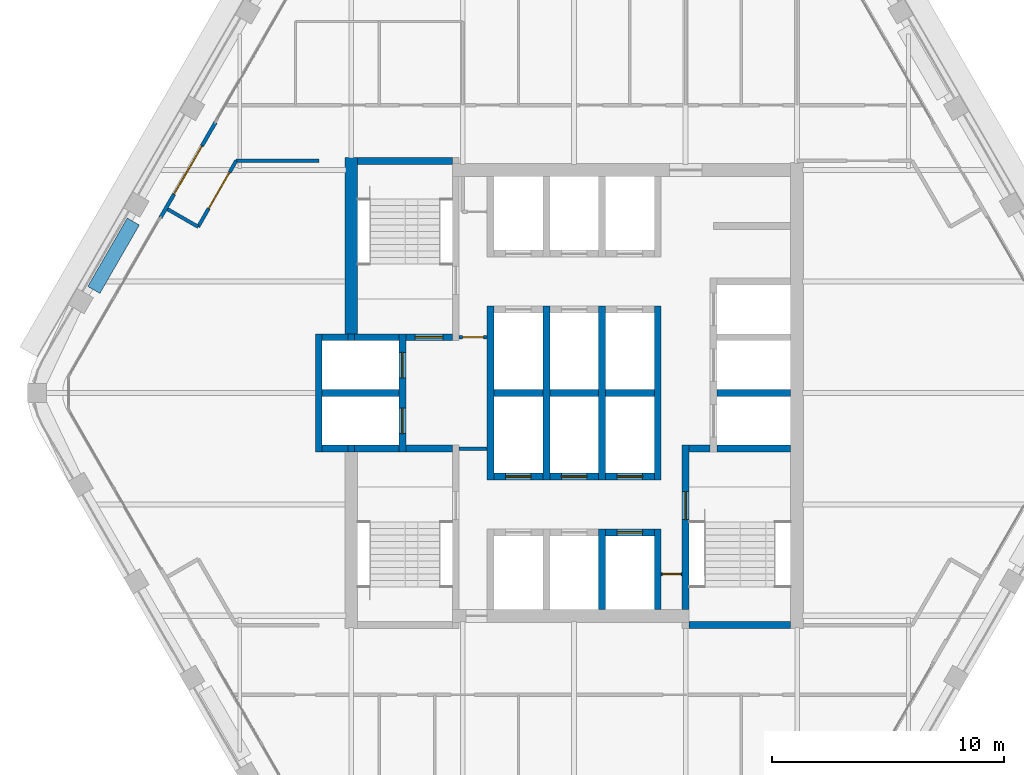
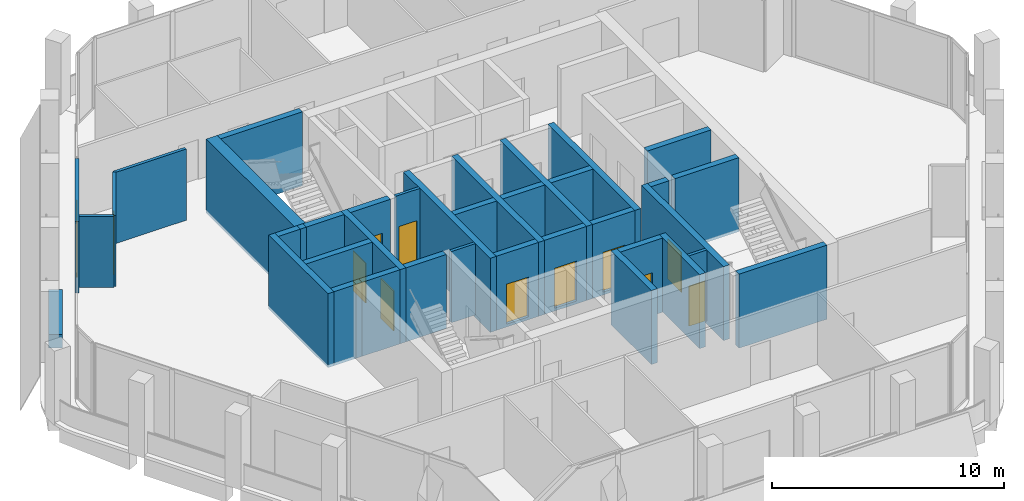
# One storey, part 8 of 13: 39 walls, 12 doors, 12 openings.
"""IFC4 building model written with IfcOpenShell, lengths in metres."""

from ifc_helpers import new_model, si_unit, direction, frame, frame_2d, origin, place, context, subcontext, project, spatial, rectangle, extrude, material, layer, layer_set, type_object, element, fill, save


model = new_model("IFC4")

# Units and contexts
model_context = context("Model", 3, precision=1e-05, world=origin(), true_north=direction((0.0, 1.0)))
body_context = subcontext(model_context, "Body", "Model", "MODEL_VIEW")
ifc_project = project(units=[si_unit("LENGTHUNIT", "METRE"), si_unit("AREAUNIT", "SQUARE_METRE"), si_unit("VOLUMEUNIT", "CUBIC_METRE"), si_unit("PLANEANGLEUNIT", "RADIAN"), si_unit("MASSUNIT", "GRAM", prefix="KILO")], contexts=[model_context])

# Site, building, storey
site_placement = place(None, origin())
site = spatial("IfcSite", under=ifc_project, at=site_placement, CompositionType="ELEMENT")
building_placement = place(site_placement, origin())
building = spatial("IfcBuilding", under=site, at=building_placement, Name="Kolab Exchange Tower", CompositionType="ELEMENT")
storey_placement = place(building_placement, frame((0.0, 0.0, 230.60009765625)))
storey = spatial("IfcBuildingStorey", under=building, at=storey_placement, Name="L50", CompositionType="ELEMENT", Elevation=230.60009765625)

# Wall
ifc_material_1 = material(Name="Concrete C50/60", Category="concrete")
ifc_layer_1 = layer(ifc_material_1, 0.550048828125)
ifc_layer_set_1 = layer_set([ifc_layer_1], Name="Concrete C50/60")
wall_type_1 = type_object("IfcWallType", Name="CORE WALL 550 C50/60", PredefinedType="SHEAR", material=ifc_layer_set_1)
wall_1_placement = place(storey_placement, frame((-9.60009765625, 2.550048828125, -0.150146484375), z_axis=(0.0, 0.0, 1.0), x_axis=(0.0, 1.0, 0.0)))
element("IfcWall", 1, at=wall_1_placement, inside=storey, type_object=wall_type_1, Name="wall/L50/core/037", PredefinedType="SHEAR", context=body_context, shape_type="SweptSolid", body=[
    extrude(rectangle(XDim=7.599853515625, YDim=0.550048828125, at=frame_2d((3.7998046875, 0.0))), origin(), (0.0, 0.0, 1.0), 3.900146484375),
])

# Wall, opening, door
ifc_material_2 = material(Name="Aluminium EN AW-6063 T6", Category="aluminium")
ifc_layer_2 = layer(ifc_material_2, 0.159912109375)
ifc_layer_set_2 = layer_set([ifc_layer_2], Name="Aluminium EN AW-6063 T6")
wall_type_2 = type_object("IfcWallType", Name="DOOR SURROUND WALL 160 ALUMINIUM FRAMED", PredefinedType="PARTITIONING", material=ifc_layer_set_2)
wall_2_placement = place(storey_placement, frame((-17.816650390625, 7.5498046875, 0.0), z_axis=(0.0, 0.0, 1.0), x_axis=(0.499978080042, 0.866038058908, 0.0)))
wall_2 = element("IfcWall", 2, at=wall_2_placement, inside=storey, type_object=wall_type_2, Name="Door surround wall", PredefinedType="PARTITIONING", context=body_context, shape_type="SweptSolid", body=[
    extrude(rectangle(XDim=4.739990234375, YDim=0.159912109375, at=frame_2d((2.3701171875, 0.0))), origin(), (0.0, 0.0, 1.0), 3.75),
])
opening_1_placement = place(wall_2_placement, frame((1.169921875, 0.0, 0.0)))
opening_1 = element("IfcOpeningElement", 3, at=opening_1_placement, cuts=wall_2, Name="Opening GD1-094", PredefinedType="OPENING", context=body_context, shape_type="SweptSolid", body=[
    extrude(rectangle(XDim=2.39990234375, YDim=2.39990234375, at=frame_2d((1.199951171875, 1.199951171875))), frame((0.0, 0.08984375, 0.0), z_axis=(0.0, -1.0, 0.0), x_axis=(1.0, 0.0, 0.0)), (0.0, 0.0, 1.0), 0.179931640625),
])
door_type_1 = type_object("IfcDoorType", Name="LOGGIA SLIDING GLASS DOOR 2400 X 2400", OperationType="DOUBLE_DOOR_SINGLE_SWING", PredefinedType="DOOR", material=ifc_material_2)
door_1_placement = place(opening_1_placement, origin())
door_1 = element("IfcDoor", 4, at=door_1_placement, inside=storey, type_object=door_type_1, Name="Loggia door", OperationType="DOUBLE_DOOR_SLIDING", OverallHeight=2.39990234375, OverallWidth=2.39990234375, PredefinedType="DOOR", context=body_context, shape_type="SweptSolid", body=[
    extrude(rectangle(XDim=2.39990234375, YDim=2.39990234375, at=frame_2d((1.199951171875, 1.199951171875))), frame((0.0, 0.02490234375, 0.0), z_axis=(0.0, -1.0, 0.0), x_axis=(1.0, 0.0, 0.0)), (0.0, 0.0, 1.0), 0.050048828125),
])
fill(opening_1, door_1)

ifc_layer_3 = layer(ifc_material_1, 0.300048828125)
ifc_layer_set_3 = layer_set([ifc_layer_3], Name="Concrete C50/60")
wall_type_3 = type_object("IfcWallType", Name="LIFT SHAFT WALL 300 C50/60", PredefinedType="STANDARD", material=ifc_layer_set_3)
wall_3_placement = place(storey_placement, frame((1.35009765625, -6.0, -0.150146484375), z_axis=(0.0, 0.0, 1.0), x_axis=(1.0, 0.0, 0.0)))
wall_3 = element("IfcWall", 5, at=wall_3_placement, inside=storey, type_object=wall_type_3, Name="wall/L50/core/005", PredefinedType="STANDARD", context=body_context, shape_type="SweptSolid", body=[
    extrude(rectangle(XDim=2.099853515625, YDim=0.300048828125, at=frame_2d((1.0498046875, 0.0))), origin(), (0.0, 0.0, 1.0), 3.900146484375),
])
opening_2_placement = place(wall_3_placement, frame((0.5, 0.0, 0.14990234375)))
opening_2 = element("IfcOpeningElement", 6, at=opening_2_placement, cuts=wall_3, Name="Opening LD1-112", PredefinedType="OPENING", context=body_context, shape_type="SweptSolid", body=[
    extrude(rectangle(XDim=1.10009765625, YDim=2.10009765625, at=frame_2d((0.550048828125, 1.050048828125))), frame((0.0, 0.16015625, 0.0), z_axis=(0.0, -1.0, 0.0), x_axis=(1.0, 0.0, 0.0)), (0.0, 0.0, 1.0), 0.320068359375),
])
ifc_material_3 = material(Name="Stainless steel 316", Category="steel")
door_type_2 = type_object("IfcDoorType", Name="LANDING DOOR 1100 PASSENGER", OperationType="DOUBLE_DOOR_SLIDING", PredefinedType="DOOR", material=ifc_material_3)
door_2_placement = place(opening_2_placement, origin())
door_2 = element("IfcDoor", 7, at=door_2_placement, inside=storey, type_object=door_type_2, Name="Landing door HR12", OperationType="DOUBLE_DOOR_SLIDING", OverallHeight=2.10009765625, OverallWidth=1.10009765625, PredefinedType="DOOR", context=body_context, shape_type="SweptSolid", body=[
    extrude(rectangle(XDim=1.10009765625, YDim=2.10009765625, at=frame_2d((0.550048828125, 1.050048828125))), frame((0.0, 0.02490234375, 0.0), z_axis=(0.0, -1.0, 0.0), x_axis=(1.0, 0.0, 0.0)), (0.0, 0.0, 1.0), 0.050048828125),
])
fill(opening_2, door_2)

wall_4_placement = place(storey_placement, frame((-3.449951171875, -3.60009765625, -0.150146484375), z_axis=(0.0, 0.0, 1.0), x_axis=(1.0, 0.0, 0.0)))
wall_4 = element("IfcWall", 8, at=wall_4_placement, inside=storey, type_object=wall_type_3, Name="wall/L50/core/006", PredefinedType="STANDARD", context=body_context, shape_type="SweptSolid", body=[
    extrude(rectangle(XDim=2.099853515625, YDim=0.300048828125, at=frame_2d((1.0498046875, 0.0))), origin(), (0.0, 0.0, 1.0), 3.900146484375),
])
opening_3_placement = place(wall_4_placement, frame((0.5, 0.0, 0.14990234375)))
opening_3 = element("IfcOpeningElement", 9, at=opening_3_placement, cuts=wall_4, Name="Opening LD1-118", PredefinedType="OPENING", context=body_context, shape_type="SweptSolid", body=[
    extrude(rectangle(XDim=1.10009765625, YDim=2.10009765625, at=frame_2d((0.550048828125, 1.050048828125))), frame((0.0, 0.16015625, 0.0), z_axis=(0.0, -1.0, 0.0), x_axis=(1.0, 0.0, 0.0)), (0.0, 0.0, 1.0), 0.320068359375),
])
door_3_placement = place(opening_3_placement, origin())
door_3 = element("IfcDoor", 10, at=door_3_placement, inside=storey, type_object=door_type_2, Name="Landing door HR7", OperationType="DOUBLE_DOOR_SLIDING", OverallHeight=2.10009765625, OverallWidth=1.10009765625, PredefinedType="DOOR", context=body_context, shape_type="SweptSolid", body=[
    extrude(rectangle(XDim=1.10009765625, YDim=2.10009765625, at=frame_2d((0.550048828125, 1.050048828125))), frame((0.0, 0.02490234375, 0.0), z_axis=(0.0, -1.0, 0.0), x_axis=(1.0, 0.0, 0.0)), (0.0, 0.0, 1.0), 0.050048828125),
])
fill(opening_3, door_3)

wall_5_placement = place(storey_placement, frame((-1.050048828125, -3.60009765625, -0.150146484375), z_axis=(0.0, 0.0, 1.0), x_axis=(1.0, 0.0, 0.0)))
wall_5 = element("IfcWall", 11, at=wall_5_placement, inside=storey, type_object=wall_type_3, Name="wall/L50/core/007", PredefinedType="STANDARD", context=body_context, shape_type="SweptSolid", body=[
    extrude(rectangle(XDim=2.10009765625, YDim=0.300048828125, at=frame_2d((1.050048828125, 0.0))), origin(), (0.0, 0.0, 1.0), 3.900146484375),
])
opening_4_placement = place(wall_5_placement, frame((0.5, 0.0, 0.14990234375)))
opening_4 = element("IfcOpeningElement", 12, at=opening_4_placement, cuts=wall_5, Name="Opening LD1-119", PredefinedType="OPENING", context=body_context, shape_type="SweptSolid", body=[
    extrude(rectangle(XDim=1.10009765625, YDim=2.10009765625, at=frame_2d((0.550048828125, 1.050048828125))), frame((0.0, 0.16015625, 0.0), z_axis=(0.0, -1.0, 0.0), x_axis=(1.0, 0.0, 0.0)), (0.0, 0.0, 1.0), 0.320068359375),
])
door_4_placement = place(opening_4_placement, origin())
door_4 = element("IfcDoor", 13, at=door_4_placement, inside=storey, type_object=door_type_2, Name="Landing door HR8", OperationType="DOUBLE_DOOR_SLIDING", OverallHeight=2.10009765625, OverallWidth=1.10009765625, PredefinedType="DOOR", context=body_context, shape_type="SweptSolid", body=[
    extrude(rectangle(XDim=1.10009765625, YDim=2.10009765625, at=frame_2d((0.550048828125, 1.050048828125))), frame((0.0, 0.02490234375, 0.0), z_axis=(0.0, -1.0, 0.0), x_axis=(1.0, 0.0, 0.0)), (0.0, 0.0, 1.0), 0.050048828125),
])
fill(opening_4, door_4)

wall_6_placement = place(storey_placement, frame((1.35009765625, -3.60009765625, -0.150146484375), z_axis=(0.0, 0.0, 1.0), x_axis=(1.0, 0.0, 0.0)))
wall_6 = element("IfcWall", 14, at=wall_6_placement, inside=storey, type_object=wall_type_3, Name="wall/L50/core/008", PredefinedType="STANDARD", context=body_context, shape_type="SweptSolid", body=[
    extrude(rectangle(XDim=2.099853515625, YDim=0.300048828125, at=frame_2d((1.0498046875, 0.0))), origin(), (0.0, 0.0, 1.0), 3.900146484375),
])
opening_5_placement = place(wall_6_placement, frame((0.5, 0.0, 0.14990234375)))
opening_5 = element("IfcOpeningElement", 15, at=opening_5_placement, cuts=wall_6, Name="Opening LD1-120", PredefinedType="OPENING", context=body_context, shape_type="SweptSolid", body=[
    extrude(rectangle(XDim=1.10009765625, YDim=2.10009765625, at=frame_2d((0.550048828125, 1.050048828125))), frame((0.0, 0.16015625, 0.0), z_axis=(0.0, -1.0, 0.0), x_axis=(1.0, 0.0, 0.0)), (0.0, 0.0, 1.0), 0.320068359375),
])
door_5_placement = place(opening_5_placement, origin())
door_5 = element("IfcDoor", 16, at=door_5_placement, inside=storey, type_object=door_type_2, Name="Landing door HR9", OperationType="DOUBLE_DOOR_SLIDING", OverallHeight=2.10009765625, OverallWidth=1.10009765625, PredefinedType="DOOR", context=body_context, shape_type="SweptSolid", body=[
    extrude(rectangle(XDim=1.10009765625, YDim=2.10009765625, at=frame_2d((0.550048828125, 1.050048828125))), frame((0.0, 0.02490234375, 0.0), z_axis=(0.0, -1.0, 0.0), x_axis=(1.0, 0.0, 0.0)), (0.0, 0.0, 1.0), 0.050048828125),
])
fill(opening_5, door_5)

# Walls
wall_7_placement = place(storey_placement, frame((-10.85009765625, -2.39990234375, -0.150146484375), z_axis=(0.0, 0.0, 1.0), x_axis=(1.0, 0.0, 0.0)))
element("IfcWall", 17, at=wall_7_placement, inside=storey, type_object=wall_type_3, Name="wall/L50/core/009", PredefinedType="STANDARD", context=body_context, shape_type="SweptSolid", body=[
    extrude(rectangle(XDim=1.10009765625, YDim=0.300048828125, at=frame_2d((0.550048828125, 0.0))), origin(), (0.0, 0.0, 1.0), 3.900146484375),
])
wall_8_placement = place(storey_placement, frame((-10.85009765625, 0.0, -0.150146484375), z_axis=(0.0, 0.0, 1.0), x_axis=(1.0, 0.0, 0.0)))
element("IfcWall", 18, at=wall_8_placement, inside=storey, type_object=wall_type_3, Name="wall/L50/core/014", PredefinedType="STANDARD", context=body_context, shape_type="SweptSolid", body=[
    extrude(rectangle(XDim=3.300048828125, YDim=0.300048828125, at=frame_2d((1.64990234375, 0.0))), origin(), (0.0, 0.0, 1.0), 3.900146484375),
])
wall_9_placement = place(storey_placement, frame((-3.449951171875, 0.0, -0.150146484375), z_axis=(0.0, 0.0, 1.0), x_axis=(1.0, 0.0, 0.0)))
element("IfcWall", 19, at=wall_9_placement, inside=storey, type_object=wall_type_3, Name="wall/L50/core/015", PredefinedType="STANDARD", context=body_context, shape_type="SweptSolid", body=[
    extrude(rectangle(XDim=2.099853515625, YDim=0.300048828125, at=frame_2d((1.0498046875, 0.0))), origin(), (0.0, 0.0, 1.0), 3.900146484375),
])
wall_10_placement = place(storey_placement, frame((-1.050048828125, 0.0, -0.150146484375), z_axis=(0.0, 0.0, 1.0), x_axis=(1.0, 0.0, 0.0)))
element("IfcWall", 20, at=wall_10_placement, inside=storey, type_object=wall_type_3, Name="wall/L50/core/016", PredefinedType="STANDARD", context=body_context, shape_type="SweptSolid", body=[
    extrude(rectangle(XDim=2.10009765625, YDim=0.300048828125, at=frame_2d((1.050048828125, 0.0))), origin(), (0.0, 0.0, 1.0), 3.900146484375),
])
wall_11_placement = place(storey_placement, frame((1.35009765625, 0.0, -0.150146484375), z_axis=(0.0, 0.0, 1.0), x_axis=(1.0, 0.0, 0.0)))
element("IfcWall", 21, at=wall_11_placement, inside=storey, type_object=wall_type_3, Name="wall/L50/core/017", PredefinedType="STANDARD", context=body_context, shape_type="SweptSolid", body=[
    extrude(rectangle(XDim=2.099853515625, YDim=0.300048828125, at=frame_2d((1.0498046875, 0.0))), origin(), (0.0, 0.0, 1.0), 3.900146484375),
])
wall_12_placement = place(storey_placement, frame((6.14990234375, 0.0, -0.150146484375), z_axis=(0.0, 0.0, 1.0), x_axis=(1.0, 0.0, 0.0)))
element("IfcWall", 22, at=wall_12_placement, inside=storey, type_object=wall_type_3, Name="wall/L50/core/018", PredefinedType="STANDARD", context=body_context, shape_type="SweptSolid", body=[
    extrude(rectangle(XDim=3.175048828125, YDim=0.300048828125, at=frame_2d((1.58740234375, 0.0))), origin(), (0.0, 0.0, 1.0), 3.900146484375),
])
wall_13_placement = place(storey_placement, frame((-10.85009765625, 2.39990234375, -0.150146484375), z_axis=(0.0, 0.0, 1.0), x_axis=(1.0, 0.0, 0.0)))
element("IfcWall", 23, at=wall_13_placement, inside=storey, type_object=wall_type_3, Name="wall/L50/core/019", PredefinedType="STANDARD", context=body_context, shape_type="SweptSolid", body=[
    extrude(rectangle(XDim=1.10009765625, YDim=0.300048828125, at=frame_2d((0.550048828125, 0.0))), origin(), (0.0, 0.0, 1.0), 3.900146484375),
])
wall_14_placement = place(storey_placement, frame((-11.0, -2.550048828125, -0.150146484375), z_axis=(0.0, 0.0, 1.0), x_axis=(0.0, 1.0, 0.0)))
element("IfcWall", 24, at=wall_14_placement, inside=storey, type_object=wall_type_3, Name="wall/L50/core/033", PredefinedType="STANDARD", context=body_context, shape_type="SweptSolid", body=[
    extrude(rectangle(XDim=5.10009765625, YDim=0.300048828125, at=frame_2d((2.550048828125, 0.0))), origin(), (0.0, 0.0, 1.0), 3.900146484375),
])

# Wall, openings, doors
wall_15_placement = place(storey_placement, frame((-7.39990234375, -2.550048828125, -0.150146484375), z_axis=(0.0, 0.0, 1.0), x_axis=(0.0, 1.0, 0.0)))
wall_15 = element("IfcWall", 25, at=wall_15_placement, inside=storey, type_object=wall_type_3, Name="wall/L50/core/038", PredefinedType="STANDARD", context=body_context, shape_type="SweptSolid", body=[
    extrude(rectangle(XDim=5.10009765625, YDim=0.300048828125, at=frame_2d((2.550048828125, 0.0))), origin(), (0.0, 0.0, 1.0), 3.900146484375),
])
opening_6_placement = place(wall_15_placement, frame((0.800048828125, 0.0, 0.14990234375)))
opening_6 = element("IfcOpeningElement", 26, at=opening_6_placement, cuts=wall_15, Name="Opening LD2-025", PredefinedType="OPENING", context=body_context, shape_type="SweptSolid", body=[
    extrude(rectangle(XDim=1.10009765625, YDim=2.10009765625, at=frame_2d((0.550048828125, 1.050048828125))), frame((0.0, 0.16015625, 0.0), z_axis=(0.0, -1.0, 0.0), x_axis=(1.0, 0.0, 0.0)), (0.0, 0.0, 1.0), 0.320068359375),
])
opening_7_placement = place(wall_15_placement, frame((3.199951171875, 0.0, 0.14990234375)))
opening_7 = element("IfcOpeningElement", 27, at=opening_7_placement, cuts=wall_15, Name="Opening LD2-026", PredefinedType="OPENING", context=body_context, shape_type="SweptSolid", body=[
    extrude(rectangle(XDim=1.10009765625, YDim=2.10009765625, at=frame_2d((0.550048828125, 1.050048828125))), frame((0.0, 0.16015625, 0.0), z_axis=(0.0, -1.0, 0.0), x_axis=(1.0, 0.0, 0.0)), (0.0, 0.0, 1.0), 0.320068359375),
])
door_type_3 = type_object("IfcDoorType", Name="LANDING DOOR 1100 FIREFIGHTING", OperationType="DOUBLE_DOOR_SLIDING", PredefinedType="DOOR", material=ifc_material_3)
door_6_placement = place(opening_6_placement, origin())
door_6 = element("IfcDoor", 28, at=door_6_placement, inside=storey, type_object=door_type_3, Name="Landing door FF1", OperationType="DOUBLE_DOOR_SLIDING", OverallHeight=2.10009765625, OverallWidth=1.10009765625, PredefinedType="DOOR", context=body_context, shape_type="SweptSolid", body=[
    extrude(rectangle(XDim=1.10009765625, YDim=2.10009765625, at=frame_2d((0.550048828125, 1.050048828125))), frame((0.0, 0.02490234375, 0.0), z_axis=(0.0, -1.0, 0.0), x_axis=(1.0, 0.0, 0.0)), (0.0, 0.0, 1.0), 0.050048828125),
])
fill(opening_6, door_6)
door_7_placement = place(opening_7_placement, origin())
door_7 = element("IfcDoor", 29, at=door_7_placement, inside=storey, type_object=door_type_3, Name="Landing door FF2", OperationType="DOUBLE_DOOR_SLIDING", OverallHeight=2.10009765625, OverallWidth=1.10009765625, PredefinedType="DOOR", context=body_context, shape_type="SweptSolid", body=[
    extrude(rectangle(XDim=1.10009765625, YDim=2.10009765625, at=frame_2d((0.550048828125, 1.050048828125))), frame((0.0, 0.02490234375, 0.0), z_axis=(0.0, -1.0, 0.0), x_axis=(1.0, 0.0, 0.0)), (0.0, 0.0, 1.0), 0.050048828125),
])
fill(opening_7, door_7)

# Walls
for number, where, z_axis, x_axis, name in (
    (30, (-3.60009765625, -3.75, -0.150146484375), (0.0, 0.0, 1.0), (0.0, 1.0, 0.0), "wall/L50/core/044"),
    (31, (-1.199951171875, -3.75, -0.150146484375), (0.0, 0.0, 1.0), (0.0, 1.0, 0.0), "wall/L50/core/047"),
):
    element("IfcWall", number, at=place(storey_placement, frame(where, z_axis=z_axis, x_axis=x_axis)), inside=storey, type_object=wall_type_3, Name=name, PredefinedType="STANDARD", context=body_context, shape_type="SweptSolid", body=[
        extrude(rectangle(XDim=7.5, YDim=0.300048828125, at=frame_2d((3.75, 0.0))), origin(), (0.0, 0.0, 1.0), 3.900146484375),
    ])
wall_16_placement = place(storey_placement, frame((1.199951171875, -9.324951171875, -0.150146484375), z_axis=(0.0, 0.0, 1.0), x_axis=(0.0, 1.0, 0.0)))
element("IfcWall", 32, at=wall_16_placement, inside=storey, type_object=wall_type_3, Name="wall/L50/core/049", PredefinedType="STANDARD", context=body_context, shape_type="SweptSolid", body=[
    extrude(rectangle(XDim=3.474853515625, YDim=0.300048828125, at=frame_2d((1.7373046875, 0.0))), origin(), (0.0, 0.0, 1.0), 3.900146484375),
])
wall_17_placement = place(storey_placement, frame((1.199951171875, -3.75, -0.150146484375), z_axis=(0.0, 0.0, 1.0), x_axis=(0.0, 1.0, 0.0)))
element("IfcWall", 33, at=wall_17_placement, inside=storey, type_object=wall_type_3, Name="wall/L50/core/050", PredefinedType="STANDARD", context=body_context, shape_type="SweptSolid", body=[
    extrude(rectangle(XDim=7.5, YDim=0.300048828125, at=frame_2d((3.75, 0.0))), origin(), (0.0, 0.0, 1.0), 3.900146484375),
])
wall_18_placement = place(storey_placement, frame((3.60009765625, -9.324951171875, -0.150146484375), z_axis=(0.0, 0.0, 1.0), x_axis=(0.0, 1.0, 0.0)))
element("IfcWall", 34, at=wall_18_placement, inside=storey, type_object=wall_type_3, Name="wall/L50/core/052", PredefinedType="STANDARD", context=body_context, shape_type="SweptSolid", body=[
    extrude(rectangle(XDim=3.474853515625, YDim=0.300048828125, at=frame_2d((1.7373046875, 0.0))), origin(), (0.0, 0.0, 1.0), 3.900146484375),
])
wall_19_placement = place(storey_placement, frame((3.60009765625, -3.75, -0.150146484375), z_axis=(0.0, 0.0, 1.0), x_axis=(0.0, 1.0, 0.0)))
element("IfcWall", 35, at=wall_19_placement, inside=storey, type_object=wall_type_3, Name="wall/L50/core/053", PredefinedType="STANDARD", context=body_context, shape_type="SweptSolid", body=[
    extrude(rectangle(XDim=7.5, YDim=0.300048828125, at=frame_2d((3.75, 0.0))), origin(), (0.0, 0.0, 1.0), 3.900146484375),
])

# Wall, opening, door
ifc_material_4 = material(Name="Gypsum board", Category="gypsum")
ifc_layer_4 = layer(ifc_material_4, 0.14990234375)
ifc_layer_set_4 = layer_set([ifc_layer_4], Name="Gypsum board")
wall_type_4 = type_object("IfcWallType", Name="PARTITION 150 FIRE-RATED", PredefinedType="PARTITIONING", material=ifc_layer_set_4)
wall_20_placement = place(storey_placement, frame((-16.196044921875, 7.15673828125, 0.0), z_axis=(0.0, 0.0, 1.0), x_axis=(0.499954196102, 0.866051847062, 0.0)))
wall_20 = element("IfcWall", 36, at=wall_20_placement, inside=storey, type_object=wall_type_4, Name="Partition 016", PredefinedType="PARTITIONING", context=body_context, shape_type="SweptSolid", body=[
    extrude(rectangle(XDim=3.282958984375, YDim=0.14990234375, at=frame_2d((1.6416015625, 0.0))), origin(), (0.0, 0.0, 1.0), 3.75),
])
opening_8_placement = place(wall_20_placement, frame((0.9140625, 0.0, 0.0)))
opening_8 = element("IfcOpeningElement", 37, at=opening_8_placement, cuts=wall_20, Name="Opening D2-068", PredefinedType="OPENING", context=body_context, shape_type="SweptSolid", body=[
    extrude(rectangle(XDim=1.800048828125, YDim=2.10009765625, at=frame_2d((0.89990234375, 1.050048828125))), frame((0.0, 0.0849609375, 0.0), z_axis=(0.0, -1.0, 0.0), x_axis=(1.0, 0.0, 0.0)), (0.0, 0.0, 1.0), 0.169921875),
])
ifc_material_5 = material(Name="Steel S235", Category="steel")
door_type_4 = type_object("IfcDoorType", Name="DOUBLE DOOR 1800 FD60", OperationType="DOUBLE_DOOR_SINGLE_SWING", PredefinedType="DOOR", material=ifc_material_5)
door_8_placement = place(opening_8_placement, frame((1.800048828125, 0.0, 0.0), z_axis=(0.0, 0.0, 1.0), x_axis=(-1.0, 0.0, 0.0)))
door_8 = element("IfcDoor", 38, at=door_8_placement, inside=storey, type_object=door_type_4, Name="Door L50-043", OperationType="SINGLE_SWING_RIGHT", OverallHeight=2.10009765625, OverallWidth=1.800048828125, PredefinedType="DOOR", context=body_context, shape_type="SweptSolid", body=[
    extrude(rectangle(XDim=1.800048828125, YDim=2.10009765625, at=frame_2d((0.89990234375, 1.050048828125))), frame((0.0, 0.02490234375, 0.0), z_axis=(0.0, -1.0, 0.0), x_axis=(1.0, 0.0, 0.0)), (0.0, 0.0, 1.0), 0.050048828125),
])
fill(opening_8, door_8)

# Wall
wall_21_placement = place(storey_placement, frame((-17.512451171875, 7.9169921875, 0.0), z_axis=(0.0, 0.0, 1.0), x_axis=(0.865960906633, -0.500111695708, 0.0)))
element("IfcWall", 39, at=wall_21_placement, inside=storey, type_object=wall_type_4, Name="Partition 017", PredefinedType="PARTITIONING", context=body_context, shape_type="SweptSolid", body=[
    extrude(rectangle(XDim=1.520263671875, YDim=0.14990234375, at=frame_2d((0.76025390625, 0.0))), origin(), (0.0, 0.0, 1.0), 3.75),
])

# Wall, opening, door
wall_22_placement = place(storey_placement, frame((3.75, -7.800048828125, 0.0), z_axis=(0.0, 0.0, 1.0), x_axis=(1.0, 0.0, 0.0)))
wall_22 = element("IfcWall", 40, at=wall_22_placement, inside=storey, type_object=wall_type_4, Name="Partition 025", PredefinedType="PARTITIONING", context=body_context, shape_type="SweptSolid", body=[
    extrude(rectangle(XDim=0.89990234375, YDim=0.14990234375, at=frame_2d((0.449951171875, 0.0))), origin(), (0.0, 0.0, 1.0), 3.75),
])
opening_9_placement = place(wall_22_placement, frame((0.050048828125, 0.0, 0.0)))
opening_9 = element("IfcOpeningElement", 41, at=opening_9_placement, cuts=wall_22, Name="Opening D7-040", PredefinedType="OPENING", context=body_context, shape_type="SweptSolid", body=[
    extrude(rectangle(XDim=0.800048828125, YDim=2.10009765625, at=frame_2d((0.39990234375, 1.050048828125))), frame((0.0, 0.0849609375, 0.0), z_axis=(0.0, -1.0, 0.0), x_axis=(1.0, 0.0, 0.0)), (0.0, 0.0, 1.0), 0.169921875),
])
door_type_5 = type_object("IfcDoorType", Name="FLUSH DOOR 800 FD60", OperationType="SINGLE_SWING_LEFT", PredefinedType="DOOR", material=ifc_material_5)
door_9_placement = place(opening_9_placement, frame((0.800048828125, 0.0, 0.0), z_axis=(0.0, 0.0, 1.0), x_axis=(-1.0, 0.0, 0.0)))
door_9 = element("IfcDoor", 42, at=door_9_placement, inside=storey, type_object=door_type_5, Name="Door L50-024", OperationType="SINGLE_SWING_RIGHT", OverallHeight=2.10009765625, OverallWidth=0.800048828125, PredefinedType="DOOR", context=body_context, shape_type="SweptSolid", body=[
    extrude(rectangle(XDim=0.800048828125, YDim=2.10009765625, at=frame_2d((0.39990234375, 1.050048828125))), frame((0.0, 0.02490234375, 0.0), z_axis=(0.0, -1.0, 0.0), x_axis=(1.0, 0.0, 0.0)), (0.0, 0.0, 1.0), 0.050048828125),
])
fill(opening_9, door_9)

# Wall
wall_23_placement = place(storey_placement, frame((-14.5546875, 10.0, 0.0), z_axis=(0.0, 0.0, 1.0), x_axis=(1.0, 0.0, 0.0)))
element("IfcWall", 43, at=wall_23_placement, inside=storey, type_object=wall_type_4, Name="Partition 027", PredefinedType="PARTITIONING", context=body_context, shape_type="SweptSolid", body=[
    extrude(rectangle(XDim=3.5546875, YDim=0.14990234375, at=frame_2d((1.77734375, 0.0))), origin(), (0.0, 0.0, 1.0), 3.75),
])

# Wall, opening, door
wall_24_placement = place(storey_placement, frame((-4.949951171875, 2.39990234375, 0.0), z_axis=(0.0, 0.0, 1.0), x_axis=(1.0, 0.0, 0.0)))
wall_24 = element("IfcWall", 44, at=wall_24_placement, inside=storey, type_object=wall_type_4, Name="Fire partition", PredefinedType="PARTITIONING", context=body_context, shape_type="SweptSolid", body=[
    extrude(rectangle(XDim=1.199951171875, YDim=0.14990234375, at=frame_2d((0.60009765625, 0.0))), origin(), (0.0, 0.0, 1.0), 3.75),
])
opening_10_placement = place(wall_24_placement, frame((0.14990234375, 0.0, 0.0)))
opening_10 = element("IfcOpeningElement", 45, at=opening_10_placement, cuts=wall_24, Name="Opening D6-288", PredefinedType="OPENING", context=body_context, shape_type="SweptSolid", body=[
    extrude(rectangle(XDim=0.89990234375, YDim=2.10009765625, at=frame_2d((0.449951171875, 1.050048828125))), frame((0.0, 0.0849609375, 0.0), z_axis=(0.0, -1.0, 0.0), x_axis=(1.0, 0.0, 0.0)), (0.0, 0.0, 1.0), 0.169921875),
])
door_type_6 = type_object("IfcDoorType", Name="CORE DOOR 900 EI 120", OperationType="SINGLE_SWING_LEFT", PredefinedType="DOOR", material=ifc_material_5)
door_10_placement = place(opening_10_placement, frame((0.89990234375, 0.0, 0.0), z_axis=(0.0, 0.0, 1.0), x_axis=(-1.0, 0.0, 0.0)))
door_10 = element("IfcDoor", 46, at=door_10_placement, inside=storey, type_object=door_type_6, Name="Firefighting lobby door", OperationType="SINGLE_SWING_RIGHT", OverallHeight=2.10009765625, OverallWidth=0.89990234375, PredefinedType="DOOR", context=body_context, shape_type="SweptSolid", body=[
    extrude(rectangle(XDim=0.89990234375, YDim=2.10009765625, at=frame_2d((0.449951171875, 1.050048828125))), frame((0.0, 0.02490234375, 0.0), z_axis=(0.0, -1.0, 0.0), x_axis=(1.0, 0.0, 0.0)), (0.0, 0.0, 1.0), 0.050048828125),
])
fill(opening_10, door_10)

# Walls
wall_25_placement = place(storey_placement, frame((-4.949951171875, -2.39990234375, 0.0), z_axis=(0.0, 0.0, 1.0), x_axis=(1.0, 0.0, 0.0)))
element("IfcWall", 47, at=wall_25_placement, inside=storey, type_object=wall_type_4, Name="Fire partition", PredefinedType="PARTITIONING", context=body_context, shape_type="SweptSolid", body=[
    extrude(rectangle(XDim=1.199951171875, YDim=0.14990234375, at=frame_2d((0.60009765625, 0.0))), origin(), (0.0, 0.0, 1.0), 3.75),
])
ifc_material_6 = material(Name="Granite facing", Category="masonry")
ifc_layer_5 = layer(ifc_material_6, 0.0400390625)
ifc_material_7 = material(Name="Concrete C40/50 precast", Category="concrete")
ifc_layer_6 = layer(ifc_material_7, 0.56005859375)
ifc_layer_set_5 = layer_set([ifc_layer_5, ifc_layer_6], Name="Concrete C40/50 precast")
wall_type_5 = type_object("IfcWallType", Name="PLANTER BOX 600 X 700 SOIL DEPTH 550", PredefinedType="USERDEFINED", material=ifc_layer_set_5)
wall_26_placement = place(storey_placement, frame((-20.68701171875, 4.438232421875, 0.0), z_axis=(0.0, 0.0, 1.0), x_axis=(0.500008388397, 0.866020560687, 0.0)))
element("IfcWall", 48, at=wall_26_placement, inside=storey, type_object=wall_type_5, Name="Planter", ObjectType="PLANTER", PredefinedType="USERDEFINED", context=body_context, shape_type="SweptSolid", body=[
    extrude(rectangle(XDim=3.39990234375, YDim=0.60009765625, at=frame_2d((1.699951171875, 0.0))), origin(), (0.0, 0.0, 1.0), 0.699951171875),
])
ifc_layer_7 = layer(ifc_material_1, 0.300048828125)
ifc_layer_set_6 = layer_set([ifc_layer_7], Name="Concrete C50/60")
wall_type_6 = type_object("IfcWallType", Name="STAIR ENCLOSURE WALL 300 C50/60", PredefinedType="STANDARD", material=ifc_layer_set_6)
wall_27_placement = place(storey_placement, frame((4.949951171875, -10.0, -0.150146484375), z_axis=(0.0, 0.0, 1.0), x_axis=(1.0, 0.0, 0.0)))
element("IfcWall", 49, at=wall_27_placement, inside=storey, type_object=wall_type_6, Name="wall/L50/core/001", PredefinedType="STANDARD", context=body_context, shape_type="SweptSolid", body=[
    extrude(rectangle(XDim=4.375, YDim=0.300048828125, at=frame_2d((2.1875, 0.0))), origin(), (0.0, 0.0, 1.0), 3.900146484375),
])
wall_28_placement = place(storey_placement, frame((-9.449951171875, -2.39990234375, -0.150146484375), z_axis=(0.0, 0.0, 1.0), x_axis=(1.0, 0.0, 0.0)))
element("IfcWall", 50, at=wall_28_placement, inside=storey, type_object=wall_type_6, Name="wall/L50/core/010", PredefinedType="STANDARD", context=body_context, shape_type="SweptSolid", body=[
    extrude(rectangle(XDim=1.89990234375, YDim=0.300048828125, at=frame_2d((0.949951171875, 0.0))), origin(), (0.0, 0.0, 1.0), 3.900146484375),
])
wall_29_placement = place(storey_placement, frame((-7.25, -2.39990234375, -0.150146484375), z_axis=(0.0, 0.0, 1.0), x_axis=(1.0, 0.0, 0.0)))
element("IfcWall", 51, at=wall_29_placement, inside=storey, type_object=wall_type_6, Name="wall/L50/core/011", PredefinedType="STANDARD", context=body_context, shape_type="SweptSolid", body=[
    extrude(rectangle(XDim=2.0, YDim=0.300048828125, at=frame_2d((1.0, 0.0))), origin(), (0.0, 0.0, 1.0), 3.900146484375),
])
wall_30_placement = place(storey_placement, frame((4.949951171875, -2.39990234375, -0.150146484375), z_axis=(0.0, 0.0, 1.0), x_axis=(1.0, 0.0, 0.0)))
element("IfcWall", 52, at=wall_30_placement, inside=storey, type_object=wall_type_6, Name="wall/L50/core/012", PredefinedType="STANDARD", context=body_context, shape_type="SweptSolid", body=[
    extrude(rectangle(XDim=0.900146484375, YDim=0.300048828125, at=frame_2d((0.4501953125, 0.0))), origin(), (0.0, 0.0, 1.0), 3.900146484375),
])
wall_31_placement = place(storey_placement, frame((6.14990234375, -2.39990234375, -0.150146484375), z_axis=(0.0, 0.0, 1.0), x_axis=(1.0, 0.0, 0.0)))
element("IfcWall", 53, at=wall_31_placement, inside=storey, type_object=wall_type_6, Name="wall/L50/core/013", PredefinedType="STANDARD", context=body_context, shape_type="SweptSolid", body=[
    extrude(rectangle(XDim=3.175048828125, YDim=0.300048828125, at=frame_2d((1.58740234375, 0.0))), origin(), (0.0, 0.0, 1.0), 3.900146484375),
])
wall_32_placement = place(storey_placement, frame((-9.449951171875, 2.39990234375, -0.150146484375), z_axis=(0.0, 0.0, 1.0), x_axis=(1.0, 0.0, 0.0)))
element("IfcWall", 54, at=wall_32_placement, inside=storey, type_object=wall_type_6, Name="wall/L50/core/020", PredefinedType="STANDARD", context=body_context, shape_type="SweptSolid", body=[
    extrude(rectangle(XDim=1.89990234375, YDim=0.300048828125, at=frame_2d((0.949951171875, 0.0))), origin(), (0.0, 0.0, 1.0), 3.900146484375),
])

# Wall, opening, door
wall_33_placement = place(storey_placement, frame((-7.25, 2.39990234375, -0.150146484375), z_axis=(0.0, 0.0, 1.0), x_axis=(1.0, 0.0, 0.0)))
wall_33 = element("IfcWall", 55, at=wall_33_placement, inside=storey, type_object=wall_type_6, Name="wall/L50/core/021", PredefinedType="STANDARD", context=body_context, shape_type="SweptSolid", body=[
    extrude(rectangle(XDim=2.0, YDim=0.300048828125, at=frame_2d((1.0, 0.0))), origin(), (0.0, 0.0, 1.0), 3.900146484375),
])
opening_11_placement = place(wall_33_placement, frame((0.39990234375, 0.0, 0.14990234375)))
opening_11 = element("IfcOpeningElement", 56, at=opening_11_placement, cuts=wall_33, Name="Opening D4-065", PredefinedType="OPENING", context=body_context, shape_type="SweptSolid", body=[
    extrude(rectangle(XDim=1.199951171875, YDim=2.10009765625, at=frame_2d((0.60009765625, 1.050048828125))), frame((0.0, 0.16015625, 0.0), z_axis=(0.0, -1.0, 0.0), x_axis=(1.0, 0.0, 0.0)), (0.0, 0.0, 1.0), 0.320068359375),
])
door_type_7 = type_object("IfcDoorType", Name="STAIR DOOR 1200 EI 120", OperationType="SINGLE_SWING_LEFT", PredefinedType="DOOR", material=ifc_material_5)
door_11_placement = place(opening_11_placement, origin())
door_11 = element("IfcDoor", 57, at=door_11_placement, inside=storey, type_object=door_type_7, Name="Stair 1 door", OperationType="SINGLE_SWING_RIGHT", OverallHeight=2.10009765625, OverallWidth=1.199951171875, PredefinedType="DOOR", context=body_context, shape_type="SweptSolid", body=[
    extrude(rectangle(XDim=1.199951171875, YDim=2.10009765625, at=frame_2d((0.60009765625, 1.050048828125))), frame((0.0, 0.02490234375, 0.0), z_axis=(0.0, -1.0, 0.0), x_axis=(1.0, 0.0, 0.0)), (0.0, 0.0, 1.0), 0.050048828125),
])
fill(opening_11, door_11)

# Walls
wall_34_placement = place(storey_placement, frame((-9.324951171875, 10.0, -0.150146484375), z_axis=(0.0, 0.0, 1.0), x_axis=(1.0, 0.0, 0.0)))
element("IfcWall", 58, at=wall_34_placement, inside=storey, type_object=wall_type_6, Name="wall/L50/core/032", PredefinedType="STANDARD", context=body_context, shape_type="SweptSolid", body=[
    extrude(rectangle(XDim=4.074951171875, YDim=0.300048828125, at=frame_2d((2.03759765625, 0.0))), origin(), (0.0, 0.0, 1.0), 3.900146484375),
])
for number, where, z_axis, x_axis, name in (
    (59, (-9.60009765625, -2.550048828125, -0.150146484375), (0.0, 0.0, 1.0), (0.0, 1.0, 0.0), "wall/L50/core/035"),
    (60, (-9.60009765625, 2.25, -0.150146484375), (0.0, 0.0, 1.0), (0.0, 1.0, 0.0), "wall/L50/core/036"),
):
    element("IfcWall", number, at=place(storey_placement, frame(where, z_axis=z_axis, x_axis=x_axis)), inside=storey, type_object=wall_type_6, Name=name, PredefinedType="STANDARD", context=body_context, shape_type="SweptSolid", body=[
        extrude(rectangle(XDim=0.300048828125, YDim=0.300048828125, at=frame_2d((0.14990234375, 0.0))), origin(), (0.0, 0.0, 1.0), 3.900146484375),
    ])

# Wall, opening, door
wall_35_placement = place(storey_placement, frame((4.800048828125, -9.324951171875, -0.150146484375), z_axis=(0.0, 0.0, 1.0), x_axis=(0.0, 1.0, 0.0)))
wall_35 = element("IfcWall", 61, at=wall_35_placement, inside=storey, type_object=wall_type_6, Name="wall/L50/core/056", PredefinedType="STANDARD", context=body_context, shape_type="SweptSolid", body=[
    extrude(rectangle(XDim=7.074951171875, YDim=0.300048828125, at=frame_2d((3.53759765625, 0.0))), origin(), (0.0, 0.0, 1.0), 3.900146484375),
])
opening_12_placement = place(wall_35_placement, frame((3.875, 0.0, 0.14990234375)))
opening_12 = element("IfcOpeningElement", 62, at=opening_12_placement, cuts=wall_35, Name="Opening D4-077", PredefinedType="OPENING", context=body_context, shape_type="SweptSolid", body=[
    extrude(rectangle(XDim=1.199951171875, YDim=2.10009765625, at=frame_2d((0.60009765625, 1.050048828125))), frame((0.0, 0.16015625, 0.0), z_axis=(0.0, -1.0, 0.0), x_axis=(1.0, 0.0, 0.0)), (0.0, 0.0, 1.0), 0.320068359375),
])
door_12_placement = place(opening_12_placement, frame((1.199951171875, 0.0, 0.0), z_axis=(0.0, 0.0, 1.0), x_axis=(-1.0, 0.0, 0.0)))
door_12 = element("IfcDoor", 63, at=door_12_placement, inside=storey, type_object=door_type_7, Name="Stair 2 door", OperationType="SINGLE_SWING_RIGHT", OverallHeight=2.10009765625, OverallWidth=1.199951171875, PredefinedType="DOOR", context=body_context, shape_type="SweptSolid", body=[
    extrude(rectangle(XDim=1.199951171875, YDim=2.10009765625, at=frame_2d((0.60009765625, 1.050048828125))), frame((0.0, 0.02490234375, 0.0), z_axis=(0.0, -1.0, 0.0), x_axis=(1.0, 0.0, 0.0)), (0.0, 0.0, 1.0), 0.050048828125),
])
fill(opening_12, door_12)

save(model, "model.ifc")
